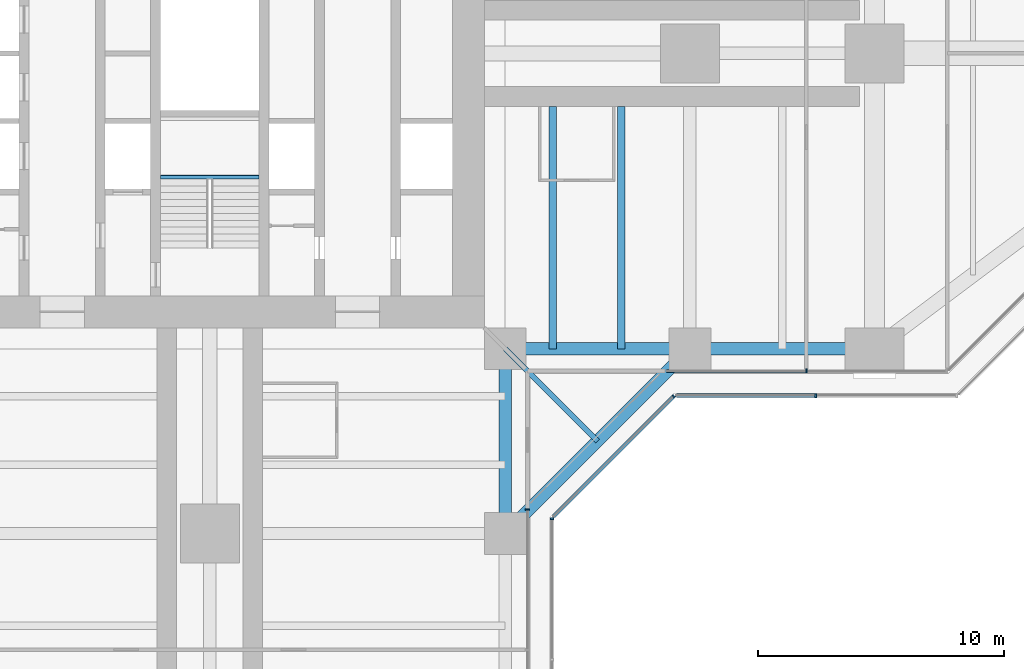
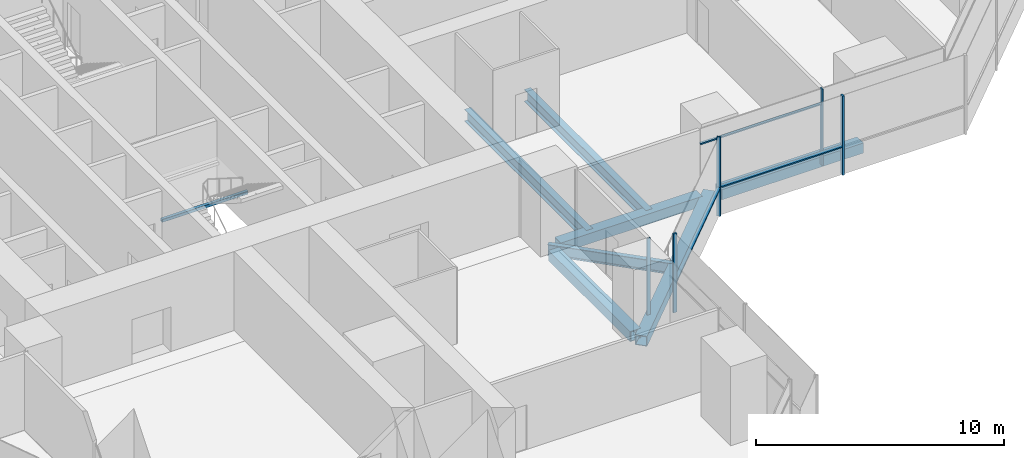
# One storey, part 6 of 22: 8 beams, 8 members, 5 elements without a shape of their own.
"""IFC4 building model written with IfcOpenShell, lengths in metres."""

from ifc_helpers import new_model, si_unit, direction, frame, origin, origin_2d, place, context, subcontext, project, spatial, rectangle, hollow_rectangle, i_section, extrude, material, material_profile, profile_set, type_object, element, aggregate, save


model = new_model("IFC4")

# Units and contexts
model_context = context("Model", 3, precision=1e-05, world=origin(), true_north=direction((0.0, 1.0)))
body_context = subcontext(model_context, "Body", "Model", "MODEL_VIEW")
ifc_project = project(units=[si_unit("LENGTHUNIT", "METRE"), si_unit("AREAUNIT", "SQUARE_METRE"), si_unit("VOLUMEUNIT", "CUBIC_METRE"), si_unit("PLANEANGLEUNIT", "RADIAN"), si_unit("MASSUNIT", "GRAM", prefix="KILO")], contexts=[model_context])

# Site, building, storey
site_placement = place(None, origin())
site = spatial("IfcSite", under=ifc_project, at=site_placement, CompositionType="ELEMENT")
building_placement = place(site_placement, origin())
building = spatial("IfcBuilding", under=site, at=building_placement, Name="Mizan Broadcast Tower", CompositionType="ELEMENT")
storey_placement = place(building_placement, frame((0.0, 0.0, 109.800048828125)))
storey = spatial("IfcBuildingStorey", under=building, at=storey_placement, Name="L24", CompositionType="ELEMENT", Elevation=109.800048828125)

# Beams
ifc_material_1 = material(Name="Steel S355", Category="steel")
ifc_material_profile_1 = material_profile(ifc_material_1, hollow_rectangle(XDim=0.5, YDim=0.5, WallThickness=0.030029296875, at=origin_2d()), Name="BOX 500x500x30")
ifc_profile_set_1 = profile_set([ifc_material_profile_1], Name="Steel S355")
beam_type_1 = type_object("IfcBeamType", Name="EDGE BEAM BOX 500x500x30", PredefinedType="SPANDREL", material=ifc_profile_set_1)
for number, where, z_axis, x_axis, name in (
    (1, (12.449951171875, -12.0, -0.380126953125), (1.0, 0.0, 0.0), (0.0, 1.0, 0.0), "Edge beam BOX 500x500x30 L24 east arm"),
    (2, (19.949951171875, -12.0, -0.380126953125), (1.0, 0.0, 0.0), (0.0, 1.0, 0.0), "Edge beam BOX 500x500x30 L24 east arm"),
    (3, (12.0, -12.449951171875, -0.380126953125), (0.0, -1.0, 0.0), (1.0, 0.0, 0.0), "Edge beam BOX 500x500x30 L24 south arm"),
):
    element("IfcBeam", number, at=place(storey_placement, frame(where, z_axis=z_axis, x_axis=x_axis)), inside=storey, type_object=beam_type_1, Name=name, PredefinedType="SPANDREL", context=body_context, shape_type="SweptSolid", body=[
        extrude(hollow_rectangle(XDim=0.5, YDim=0.5, WallThickness=0.030029296875, at=origin_2d()), origin(), (0.0, 0.0, 1.0), 6.60009765625),
    ])
beam_1_placement = place(storey_placement, frame((12.0, -19.5, -0.380126953125), z_axis=(0.707106781187, 0.707106781187, 0.0), x_axis=(-0.707106781187, 0.707106781187, 0.0)))
element("IfcBeam", 4, at=beam_1_placement, inside=storey, type_object=beam_type_1, Name="Winter garden edge beam L24 S", PredefinedType="SPANDREL", context=body_context, shape_type="SweptSolid", body=[
    extrude(hollow_rectangle(XDim=0.5, YDim=0.5, WallThickness=0.030029296875, at=origin_2d()), origin(), (0.0, 0.0, 1.0), 10.606689453125),
])

# Curtain wall, member
ifc_material_2 = material(Name="Aluminium framed glazing", Category="aluminium")
curtain_wall_type_1 = type_object("IfcCurtainWallType", Name="INNER SKIN LOW ZONE", PredefinedType="USERDEFINED", material=ifc_material_2)
curtain_wall_1_placement = place(storey_placement, origin())
curtain_wall_1 = element("IfcCurtainWall", 5, at=curtain_wall_1_placement, inside=storey, type_object=curtain_wall_type_1, Name="Inner skin low zone L24 E side", ObjectType="INNER SKIN LOW ZONE", PredefinedType="USERDEFINED")
ifc_material_3 = material(Name="Aluminium, pale anodised", Category="aluminium")
ifc_material_profile_2 = material_profile(ifc_material_3, rectangle(XDim=0.159912109375, YDim=0.06005859375, at=origin_2d()), Name="MULLION 160x60")
ifc_profile_set_2 = profile_set([ifc_material_profile_2], Name="Aluminium, pale anodised")
member_type_1 = type_object("IfcMemberType", Name="INNER SKIN MULLION 60x160", PredefinedType="MULLION", material=ifc_profile_set_2)
member_1_placement = place(storey_placement, frame((24.229248046875, -12.89990234375, 0.0), z_axis=(0.0, 0.0, 1.0), x_axis=(0.0, 1.0, 0.0)))
member_1 = element("IfcMember", 6, at=member_1_placement, type_object=member_type_1, Name="Inner skin low zone L24 E side mullion 2", PredefinedType="MULLION", context=body_context, shape_type="SweptSolid", body=[
    extrude(rectangle(XDim=0.159912109375, YDim=0.06005859375, at=origin_2d()), origin(), (0.0, 0.0, 1.0), 3.77001953125),
])

curtain_wall_2_placement = place(storey_placement, origin())
curtain_wall_2 = element("IfcCurtainWall", 7, at=curtain_wall_2_placement, inside=storey, type_object=curtain_wall_type_1, Name="Inner skin low zone L24 S side", ObjectType="INNER SKIN LOW ZONE", PredefinedType="USERDEFINED")
member_2_placement = place(storey_placement, frame((12.89990234375, -18.530029296875, 0.0), z_axis=(0.0, 0.0, 1.0), x_axis=(-1.0, 0.0, 0.0)))
member_2 = element("IfcMember", 8, at=member_2_placement, type_object=member_type_1, Name="Inner skin low zone L24 S side mullion 3", PredefinedType="MULLION", context=body_context, shape_type="SweptSolid", body=[
    extrude(rectangle(XDim=0.159912109375, YDim=0.06005859375, at=origin_2d()), origin(), (0.0, 0.0, 1.0), 3.77001953125),
])
aggregate(curtain_wall_2, [member_2])

# Member
ifc_material_4 = material(Name="Aluminium, pale anodised", Category="aluminium")
ifc_material_profile_3 = material_profile(ifc_material_4, rectangle(XDim=0.1201171875, YDim=0.06005859375, at=origin_2d()), Name="TRANSOM 120x60")
ifc_profile_set_3 = profile_set([ifc_material_profile_3], Name="Aluminium, pale anodised")
member_type_2 = type_object("IfcMemberType", Name="INNER SKIN TRANSOM 60x120", PredefinedType="USERDEFINED", material=ifc_profile_set_3)
member_3_placement = place(storey_placement, frame((18.56005859375, -12.89990234375, 3.030029296875), z_axis=(1.0, 0.0, 0.0), x_axis=(0.0, 1.0, 0.0)))
member_3 = element("IfcMember", 9, at=member_3_placement, type_object=member_type_2, Name="Inner skin low zone L24 E side transom 1.1", ObjectType="TRANSOM", PredefinedType="USERDEFINED", context=body_context, shape_type="SweptSolid", body=[
    extrude(rectangle(XDim=0.1201171875, YDim=0.06005859375, at=origin_2d()), origin(), (0.0, 0.0, 1.0), 5.63916015625),
])

aggregate(curtain_wall_1, [member_1, member_3])

# Beam
ifc_material_5 = material(Name="Steel S355", Category="steel")
ifc_material_profile_4 = material_profile(ifc_material_5, hollow_rectangle(XDim=0.14990234375, YDim=0.14990234375, WallThickness=0.008056640625, InnerFilletRadius=0.008056640625, OuterFilletRadius=0.011962890625, at=origin_2d()), Name="SHS 150x150x8")
ifc_profile_set_4 = profile_set([ifc_material_profile_4], Name="Steel S355")
beam_type_2 = type_object("IfcBeamType", Name="LANDING TRIMMER SHS 150x150x8", PredefinedType="BEAM", material=ifc_profile_set_4)
beam_2_placement = place(storey_placement, frame((-2.0, -5.02490234375, 1.675048828125), z_axis=(1.0, 0.0, 0.0), x_axis=(0.0, 1.0, 0.0)))
element("IfcBeam", 10, at=beam_2_placement, inside=storey, type_object=beam_type_2, Name="Stair A landing trimmer L24", PredefinedType="BEAM", context=body_context, shape_type="SweptSolid", body=[
    extrude(hollow_rectangle(XDim=0.14990234375, YDim=0.14990234375, WallThickness=0.008056640625, InnerFilletRadius=0.008056640625, OuterFilletRadius=0.011962890625, at=origin_2d()), origin(), (0.0, 0.0, 1.0), 4.0),
])

# Curtain wall, member
ifc_material_6 = material(Name="Aluminium framed glazing", Category="aluminium")
curtain_wall_type_2 = type_object("IfcCurtainWallType", Name="OUTER SKIN", PredefinedType="USERDEFINED", material=ifc_material_6)
curtain_wall_3_placement = place(storey_placement, origin())
curtain_wall_3 = element("IfcCurtainWall", 11, at=curtain_wall_3_placement, inside=storey, type_object=curtain_wall_type_2, Name="Outer skin L24 S side", ObjectType="OUTER SKIN", PredefinedType="USERDEFINED")
ifc_material_7 = material(Name="Aluminium, pale anodised", Category="aluminium")
ifc_material_profile_5 = material_profile(ifc_material_7, rectangle(XDim=0.159912109375, YDim=0.080078125, at=origin_2d()), Name="MULLION 160x80")
ifc_profile_set_5 = profile_set([ifc_material_profile_5], Name="Aluminium, pale anodised")
member_type_3 = type_object("IfcMemberType", Name="OUTER SKIN MULLION 80x160", PredefinedType="MULLION", material=ifc_profile_set_5)
member_4_placement = place(storey_placement, frame((13.89990234375, -18.912841796875, 0.0), z_axis=(0.0, 0.0, 1.0), x_axis=(-1.0, 0.0, 0.0)))
member_4 = element("IfcMember", 12, at=member_4_placement, type_object=member_type_3, Name="Outer skin L24 S side mullion 3", PredefinedType="MULLION", context=body_context, shape_type="SweptSolid", body=[
    extrude(rectangle(XDim=0.159912109375, YDim=0.080078125, at=origin_2d()), origin(), (0.0, 0.0, 1.0), 3.89990234375),
])
aggregate(curtain_wall_3, [member_4])

curtain_wall_4_placement = place(storey_placement, origin())
curtain_wall_4 = element("IfcCurtainWall", 13, at=curtain_wall_4_placement, inside=storey, type_object=curtain_wall_type_2, Name="Outer skin L24 E chamfer", ObjectType="OUTER SKIN", PredefinedType="USERDEFINED")
member_5_placement = place(storey_placement, frame((18.844482421875, -13.92822265625, 0.0), z_axis=(0.0, 0.0, 1.0), x_axis=(-0.707106781187, 0.707106781187, 0.0)))
member_5 = element("IfcMember", 14, at=member_5_placement, type_object=member_type_3, Name="Outer skin L24 E chamfer mullion 2", PredefinedType="MULLION", context=body_context, shape_type="SweptSolid", body=[
    extrude(rectangle(XDim=0.159912109375, YDim=0.080078125, at=origin_2d()), origin(), (0.0, 0.0, 1.0), 3.89990234375),
])

curtain_wall_5_placement = place(storey_placement, origin())
curtain_wall_5 = element("IfcCurtainWall", 15, at=curtain_wall_5_placement, inside=storey, type_object=curtain_wall_type_2, Name="Outer skin L24 E side", ObjectType="OUTER SKIN", PredefinedType="USERDEFINED")
member_6_placement = place(storey_placement, frame((24.622802734375, -13.89990234375, 0.0), z_axis=(0.0, 0.0, 1.0), x_axis=(0.0, 1.0, 0.0)))
member_6 = element("IfcMember", 16, at=member_6_placement, type_object=member_type_3, Name="Outer skin L24 E side mullion 2", PredefinedType="MULLION", context=body_context, shape_type="SweptSolid", body=[
    extrude(rectangle(XDim=0.159912109375, YDim=0.080078125, at=origin_2d()), origin(), (0.0, 0.0, 1.0), 3.89990234375),
])

# Member
ifc_material_8 = material(Name="Aluminium, pale anodised", Category="aluminium")
ifc_material_profile_6 = material_profile(ifc_material_8, rectangle(XDim=0.159912109375, YDim=0.06005859375, at=origin_2d()), Name="TRANSOM 160x60")
ifc_profile_set_6 = profile_set([ifc_material_profile_6], Name="Aluminium, pale anodised")
member_type_4 = type_object("IfcMemberType", Name="OUTER SKIN TRANSOM 60x160", PredefinedType="USERDEFINED", material=ifc_profile_set_6)
member_7_placement = place(storey_placement, frame((13.95654296875, -18.816162109375, 1.39990234375), z_axis=(0.707106781187, 0.707106781187, 0.0), x_axis=(-0.707106781187, 0.707106781187, 0.0)))
member_7 = element("IfcMember", 17, at=member_7_placement, type_object=member_type_4, Name="Outer skin L24 E chamfer transom 1.1", ObjectType="TRANSOM", PredefinedType="USERDEFINED", context=body_context, shape_type="SweptSolid", body=[
    extrude(rectangle(XDim=0.159912109375, YDim=0.06005859375, at=origin_2d()), origin(), (0.0, 0.0, 1.0), 6.87255859375),
])

aggregate(curtain_wall_4, [member_5, member_7])

member_8_placement = place(storey_placement, frame((18.952880859375, -13.89990234375, 1.39990234375), z_axis=(1.0, 0.0, 0.0), x_axis=(0.0, 1.0, 0.0)))
member_8 = element("IfcMember", 18, at=member_8_placement, type_object=member_type_4, Name="Outer skin L24 E side transom 1.1", ObjectType="TRANSOM", PredefinedType="USERDEFINED", context=body_context, shape_type="SweptSolid", body=[
    extrude(rectangle(XDim=0.159912109375, YDim=0.06005859375, at=origin_2d()), origin(), (0.0, 0.0, 1.0), 5.6298828125),
])

aggregate(curtain_wall_5, [member_6, member_8])

# Beams
ifc_material_9 = material(Name="Steel S355", Category="steel")
ifc_material_profile_7 = material_profile(ifc_material_9, i_section(OverallWidth=0.300048828125, OverallDepth=0.590087890625, WebThickness=0.012939453125, FlangeThickness=0.02490234375, FilletRadius=0.027099609375, at=origin_2d()), Name="HEA 600")
ifc_profile_set_7 = profile_set([ifc_material_profile_7], Name="Steel S355")
beam_type_3 = type_object("IfcBeamType", Name="SECONDARY BEAM HEA 600", PredefinedType="JOIST", material=ifc_profile_set_7)
for number, where, z_axis, x_axis, name in (
    (19, (13.933349609375, -12.0, -0.425048828125), (0.0, 1.0, 0.0), (-1.0, 0.0, 0.0), "Secondary beam HEA 600 L24 east arm"),
    (20, (16.716552734375, -12.0, -0.425048828125), (0.0, 1.0, 0.0), (-1.0, 0.0, 0.0), "Secondary beam HEA 600 L24 east arm"),
):
    element("IfcBeam", number, at=place(storey_placement, frame(where, z_axis=z_axis, x_axis=x_axis)), inside=storey, type_object=beam_type_3, Name=name, PredefinedType="JOIST", context=body_context, shape_type="SweptSolid", body=[
        extrude(i_section(OverallWidth=0.300048828125, OverallDepth=0.590087890625, WebThickness=0.012939453125, FlangeThickness=0.02490234375, FilletRadius=0.027099609375, at=origin_2d()), origin(), (0.0, 0.0, 1.0), 9.85009765625),
    ])
ifc_material_10 = material(Name="Steel S355", Category="steel")
ifc_material_profile_8 = material_profile(ifc_material_10, i_section(OverallWidth=0.2099609375, OverallDepth=0.550048828125, WebThickness=0.010986328125, FlangeThickness=0.01708984375, FilletRadius=0.02392578125, at=origin_2d()), Name="IPE 550")
ifc_profile_set_8 = profile_set([ifc_material_profile_8], Name="Steel S355")
beam_type_4 = type_object("IfcBeamType", Name="SECONDARY BEAM IPE 550", PredefinedType="JOIST", material=ifc_profile_set_8)
beam_3_placement = place(storey_placement, frame((12.0, -12.0, -0.405029296875), z_axis=(0.707106781187, -0.707106781187, 0.0), x_axis=(0.707106781187, 0.707106781187, 0.0)))
element("IfcBeam", 21, at=beam_3_placement, inside=storey, type_object=beam_type_4, Name="Winter garden beam L24 S", PredefinedType="JOIST", context=body_context, shape_type="SweptSolid", body=[
    extrude(i_section(OverallWidth=0.2099609375, OverallDepth=0.550048828125, WebThickness=0.010986328125, FlangeThickness=0.01708984375, FilletRadius=0.02392578125, at=origin_2d()), origin(), (0.0, 0.0, 1.0), 5.30322265625),
])

save(model, "model.ifc")
